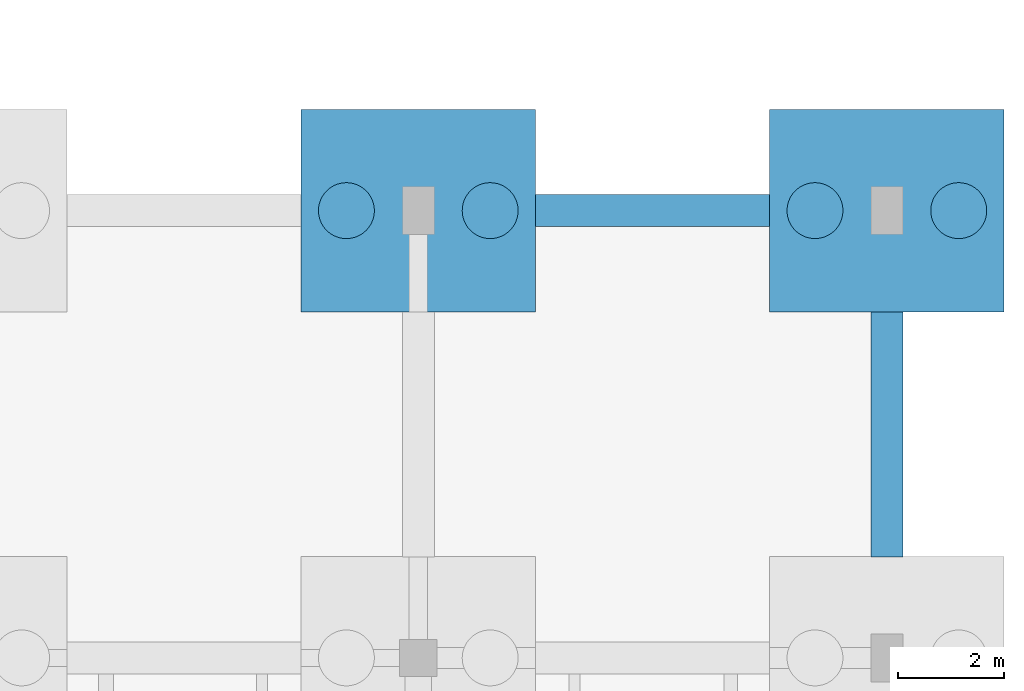
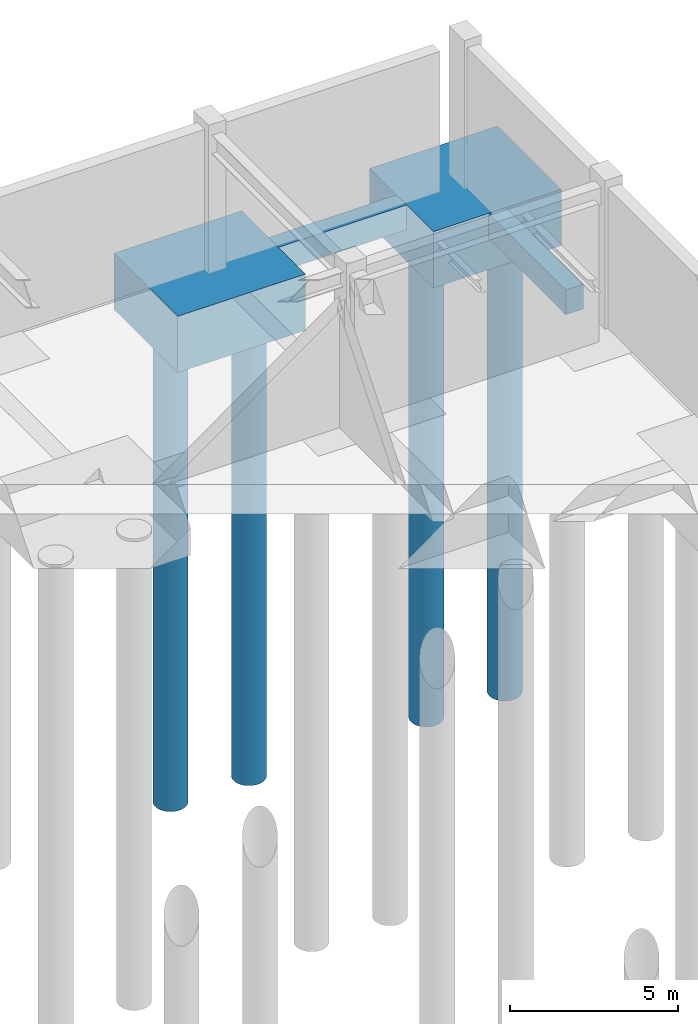
# One storey, part 11 of 69: 4 footings, 4 piles.
"""IFC4 building model written with IfcOpenShell, lengths in metres."""

import ifcopenshell
import ifcopenshell.guid

model = None  # the IFC model being written
_history = None  # IfcOwnerHistory: only IFC2X3 demands one
_inside = {}  # id of a spatial element -> (the spatial element, [elements in it])
_under = {}  # id of a project, library or spatial element -> (it, [spatial elements below it])
_declared = {}  # id of a project -> (the project, [libraries it declares])
_typed = {}  # id of a type object -> (the type object, [elements of that type])
_made_of = {}  # id of a material, layer set ... -> (it, [elements and type objects made of it])


def new_model(schema):
    """Start an empty IFC model of exactly this schema.

    Asked for "IFC4X3", IfcOpenShell would pick the latest addendum, in which some entities
    have other attributes; the version numbers below select the first issue.
    IFC2X3 requires an IfcOwnerHistory on every rooted entity: one is made here for all.
    """
    global model, _history
    if schema == "IFC4X3":
        model = ifcopenshell.file(schema_version=(4, 3, 0, 0))
    else:
        model = ifcopenshell.file(schema=schema)
    _inside.clear()
    _under.clear()
    _declared.clear()
    _typed.clear()
    _made_of.clear()
    _history = None
    if model.schema == "IFC2X3":
        org = make("IfcOrganization", Name="unknown")
        user = make(
            "IfcPersonAndOrganization",
            ThePerson=make("IfcPerson", FamilyName="unknown"),
            TheOrganization=org,
        )
        app = make(
            "IfcApplication",
            ApplicationDeveloper=org,
            Version="unknown",
            ApplicationFullName="unknown",
            ApplicationIdentifier="unknown",
        )
        _history = make(
            "IfcOwnerHistory",
            OwningUser=user,
            OwningApplication=app,
            ChangeAction="ADDED",
            CreationDate=0,
        )
    return model


def make(cls, **values):
    """One entity of the class cls with the attributes given. An attribute that is None is left unset."""
    return model.create_entity(
        cls, **{name: value for name, value in values.items() if value is not None}
    )


def rooted(cls, **values):
    """An entity with a GlobalId (a new one), such as an element, a storey or a relation."""
    return make(cls, GlobalId=ifcopenshell.guid.new(), OwnerHistory=_history, **values)


def si_unit(unit_type, name, prefix=None):
    """IfcSIUnit, for example si_unit("LENGTHUNIT", "METRE", prefix="MILLI")."""
    return make("IfcSIUnit", UnitType=unit_type, Prefix=prefix, Name=name)


def assignment(units):
    """IfcUnitAssignment: the units of a project."""
    return None if units is None else make("IfcUnitAssignment", Units=units)


def point(xyz):
    """IfcCartesianPoint."""
    return None if xyz is None else make("IfcCartesianPoint", Coordinates=xyz)


def direction(xyz):
    """IfcDirection."""
    return None if xyz is None else make("IfcDirection", DirectionRatios=xyz)


def frame(location, z_axis=None, x_axis=None):
    """IfcAxis2Placement3D, a coordinate frame: its origin and axes. An axis left out is left unset."""
    return make(
        "IfcAxis2Placement3D",
        Location=point(location),
        Axis=direction(z_axis),
        RefDirection=direction(x_axis),
    )


def frame_2d(location, x_axis=None):
    """IfcAxis2Placement2D, a coordinate frame in the plane: its origin and x axis."""
    return make(
        "IfcAxis2Placement2D", Location=point(location), RefDirection=direction(x_axis)
    )


def origin():
    """The frame at (0, 0, 0) with its axes left unset."""
    return frame((0.0, 0.0, 0.0))


def origin_2d():
    """The frame at (0, 0) in the plane with its x axis left unset."""
    return frame_2d((0.0, 0.0))


def place(relative_to, where):
    """IfcLocalPlacement: puts the frame where relative to a parent placement (None: the world)."""
    return make(
        "IfcLocalPlacement", PlacementRelTo=relative_to, RelativePlacement=where
    )


def context(
    kind, dimensions, precision=None, world=None, true_north=None, identifier=None
):
    """IfcGeometricRepresentationContext, for example the 3D "Model" context."""
    return make(
        "IfcGeometricRepresentationContext",
        ContextIdentifier=identifier,
        ContextType=kind,
        CoordinateSpaceDimension=dimensions,
        Precision=precision,
        WorldCoordinateSystem=world,
        TrueNorth=true_north,
    )


def subcontext(parent, identifier, kind, view, scale=None):
    """IfcGeometricRepresentationSubContext, for example "Body" below "Model"."""
    return make(
        "IfcGeometricRepresentationSubContext",
        ContextIdentifier=identifier,
        ContextType=kind,
        ParentContext=parent,
        TargetScale=scale,
        TargetView=view,
    )


def project(units=None, contexts=None):
    """IfcProject with its units and contexts."""
    return rooted(
        "IfcProject",
        Name="project",
        RepresentationContexts=contexts,
        UnitsInContext=assignment(units),
    )


def spatial(cls, under=None, at=None, **own):
    """A site, building, storey or space (cls), placed at a placement, below another one or the project."""
    s = rooted(cls, ObjectPlacement=at, **own)
    if under is not None:
        _under.setdefault(under.id(), (under, []))[1].append(s)
    return s


def profile(cls, at=None, kind="AREA", **sizes):
    """A parametric profile (cls). Its sizes go by their IFC names, for example OverallWidth=200.0."""
    return make(cls, ProfileType=kind, Position=at, **sizes)


def rectangle(**sizes):
    """IfcRectangleProfileDef."""
    return profile("IfcRectangleProfileDef", **sizes)


def circle(**sizes):
    """IfcCircleProfileDef."""
    return profile("IfcCircleProfileDef", **sizes)


def extrude(swept, where, along, depth):
    """IfcExtrudedAreaSolid: the profile swept, set in the frame where, extruded along a direction by depth."""
    return make(
        "IfcExtrudedAreaSolid",
        SweptArea=swept,
        Position=where,
        ExtrudedDirection=direction(along),
        Depth=depth,
    )


def shape(context_of_items, identifier, shape_type, items):
    """IfcShapeRepresentation: the items that make up one representation, for example the "Body"."""
    return make(
        "IfcShapeRepresentation",
        ContextOfItems=context_of_items,
        RepresentationIdentifier=identifier,
        RepresentationType=shape_type,
        Items=items,
    )


def material(Name=None, Category=None):
    """IfcMaterial."""
    return make("IfcMaterial", Name=Name, Category=Category)


def material_profile(
    of_material, cross_section, Name=None, Category=None, Priority=None
):
    """IfcMaterialProfile: a cross section and its material."""
    return make(
        "IfcMaterialProfile",
        Name=Name,
        Material=of_material,
        Profile=cross_section,
        Priority=Priority,
        Category=Category,
    )


def profile_set(profiles, Name=None, composite=None):
    """IfcMaterialProfileSet."""
    return make(
        "IfcMaterialProfileSet",
        Name=Name,
        MaterialProfiles=profiles,
        CompositeProfile=composite,
    )


def made_of(thing, what):
    """Note that an element or type object is made of a material, layer set ...; save() writes the relation."""
    if what is not None:
        _made_of.setdefault(what.id(), (what, []))[1].append(thing)
    return thing


def type_object(cls, material=None, **own):
    """A type object (cls), such as IfcWallType, which elements share."""
    return made_of(rooted(cls, **own), material)


def element(
    cls,
    number,
    at=None,
    inside=None,
    cuts=None,
    type_object=None,
    material=None,
    context=None,
    identifier="Body",
    shape_type=None,
    held_by="IfcProductDefinitionShape",
    body=None,
    shapes=None,
    **own,
):
    """One element of the class cls, such as IfcWall. Its Tag is "e" and its number.

    at: its placement. inside: the storey or other place that contains it. cuts: it is an
    opening in that element (IfcRelVoidsElement). A single representation is given by context,
    identifier, shape_type and body (its items); several are given by shapes. held_by: the class
    of the entity that holds the representations. save() writes the other relations.
    """
    e = rooted(cls, Tag="e%d" % number, ObjectPlacement=at, **own)
    if body is not None:
        shapes = [shape(context, identifier, shape_type, body)]
    if shapes is not None:
        e.Representation = make(held_by, Representations=shapes)
    if inside is not None:
        _inside.setdefault(inside.id(), (inside, []))[1].append(e)
    if cuts is not None:
        rooted(
            "IfcRelVoidsElement", RelatingBuildingElement=cuts, RelatedOpeningElement=e
        )
    if type_object is not None:
        _typed.setdefault(type_object.id(), (type_object, []))[1].append(e)
    return made_of(e, material)


def aggregate(whole, parts):
    """IfcRelAggregates: a whole, such as a stair, and the parts it consists of."""
    return rooted("IfcRelAggregates", RelatingObject=whole, RelatedObjects=parts)


def save(model, path):
    """Write the relations noted so far, then the file.

    IfcRelAggregates (storeys below a building ...), IfcRelContainedInSpatialStructure (elements
    in a storey), IfcRelDefinesByType, IfcRelAssociatesMaterial and IfcRelDeclares: one each for
    every whole, place, type object, material and project.
    """
    for whole, parts in _under.values():
        aggregate(whole, parts)
    for where, things in _inside.values():
        rooted(
            "IfcRelContainedInSpatialStructure",
            RelatedElements=things,
            RelatingStructure=where,
        )
    for kind, things in _typed.values():
        rooted("IfcRelDefinesByType", RelatedObjects=things, RelatingType=kind)
    for what, things in _made_of.values():
        rooted("IfcRelAssociatesMaterial", RelatedObjects=things, RelatingMaterial=what)
    for by, libraries in _declared.values():
        rooted("IfcRelDeclares", RelatingContext=by, RelatedDefinitions=libraries)
    model.write(path)


model = new_model("IFC4")

# Units and contexts
model_context = context("Model", 3, precision=1e-05, world=origin(), true_north=direction((0.0, 1.0)))
body_context = subcontext(model_context, "Body", "Model", "MODEL_VIEW")
ifc_project = project(units=[si_unit("LENGTHUNIT", "METRE"), si_unit("AREAUNIT", "SQUARE_METRE"), si_unit("VOLUMEUNIT", "CUBIC_METRE"), si_unit("PLANEANGLEUNIT", "RADIAN"), si_unit("MASSUNIT", "GRAM", prefix="KILO")], contexts=[model_context])

# Site, building, storey
site_placement = place(None, origin())
site = spatial("IfcSite", under=ifc_project, at=site_placement, CompositionType="ELEMENT")
building_placement = place(site_placement, origin())
building = spatial("IfcBuilding", under=site, at=building_placement, Name="Vaelkrest Opera House", CompositionType="ELEMENT")
storey_placement = place(building_placement, frame((0.0, 0.0, -5.39990234375)))
storey = spatial("IfcBuildingStorey", under=building, at=storey_placement, Name="B1", CompositionType="ELEMENT", Elevation=-5.39990234375)

# Footings
ifc_material = material(Name="Concrete C40/50", Category="concrete")
footing_type_1 = type_object("IfcFootingType", Name="FB01", PredefinedType="FOOTING_BEAM", material=ifc_material)
footing_1_placement = place(storey_placement, frame((82.0, 33.60009765625, -0.900146484375), z_axis=(0.0, 0.0, 1.0), x_axis=(1.0, 0.0, 0.0)))
element("IfcFooting", 1, at=footing_1_placement, inside=storey, type_object=footing_type_1, Name="Footing tie beam FT-GB-0338", PredefinedType="FOOTING_BEAM", context=body_context, shape_type="SweptSolid", body=[
    extrude(rectangle(XDim=4.39990234375, YDim=0.60009765625, at=origin_2d()), origin(), (0.0, 0.0, 1.0), 0.89990234375),
])
footing_2_placement = place(storey_placement, frame((86.39990234375, 29.39990234375, -0.900146484375), z_axis=(0.0, 0.0, 1.0), x_axis=(0.0, 1.0, 0.0)))
element("IfcFooting", 2, at=footing_2_placement, inside=storey, type_object=footing_type_1, Name="Footing tie beam FT-GB-0391", PredefinedType="FOOTING_BEAM", context=body_context, shape_type="SweptSolid", body=[
    extrude(rectangle(XDim=4.60009765625, YDim=0.60009765625, at=origin_2d()), origin(), (0.0, 0.0, 1.0), 0.89990234375),
])
footing_type_2 = type_object("IfcFootingType", Name="PC05", PredefinedType="PILE_CAP", material=ifc_material)
for number, where, z_axis, x_axis, name in (
    (3, (77.60009765625, 33.60009765625, -2.05029296875), (0.0, 0.0, 1.0), (1.0, 0.0, 0.0), "Pile cap FT-CAP-228"),
    (4, (86.39990234375, 33.60009765625, -2.05029296875), (0.0, 0.0, 1.0), (1.0, 0.0, 0.0), "Pile cap FT-CAP-237"),
):
    element("IfcFooting", number, at=place(storey_placement, frame(where, z_axis=z_axis, x_axis=x_axis)), inside=storey, type_object=footing_type_2, Name=name, PredefinedType="PILE_CAP", context=body_context, shape_type="SweptSolid", body=[
        extrude(rectangle(XDim=4.39990234375, YDim=3.800048828125, at=origin_2d()), origin(), (0.0, 0.0, 1.0), 2.050048828125),
    ])

# Piles
ifc_material_profile = material_profile(ifc_material, circle(Radius=0.52490234375, at=origin_2d()), Name="PILE1050")
ifc_profile_set = profile_set([ifc_material_profile], Name="Concrete C40/50")
pile_type = type_object("IfcPileType", Name="PL02", PredefinedType="BORED", material=ifc_profile_set)
for number, where, z_axis, x_axis, name in (
    (5, (76.25, 33.60009765625, -1.9501953125), (0.0, 0.0, -1.0), (1.0, 0.0, 0.0), "Bored pile PL-0643"),
    (6, (78.949951171875, 33.60009765625, -1.9501953125), (0.0, 0.0, -1.0), (1.0, 0.0, 0.0), "Bored pile PL-0644"),
    (7, (85.050048828125, 33.60009765625, -1.9501953125), (0.0, 0.0, -1.0), (1.0, 0.0, 0.0), "Bored pile PL-0661"),
    (8, (87.75, 33.60009765625, -1.9501953125), (0.0, 0.0, -1.0), (1.0, 0.0, 0.0), "Bored pile PL-0662"),
):
    element("IfcPile", number, at=place(storey_placement, frame(where, z_axis=z_axis, x_axis=x_axis)), inside=storey, type_object=pile_type, Name=name, PredefinedType="BORED", context=body_context, shape_type="SweptSolid", body=[
        extrude(circle(Radius=0.52490234375, at=origin_2d()), origin(), (0.0, 0.0, 1.0), 17.14990234375),
    ])

save(model, "model.ifc")
